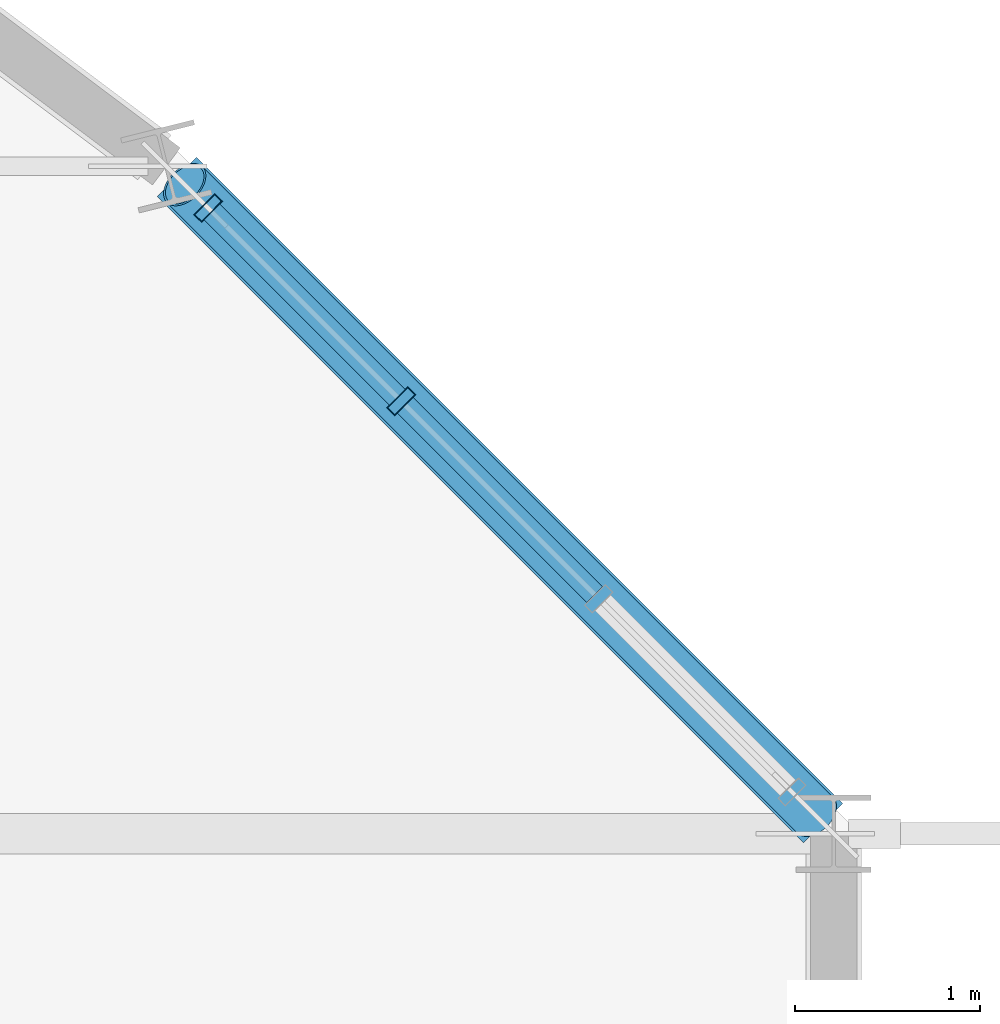
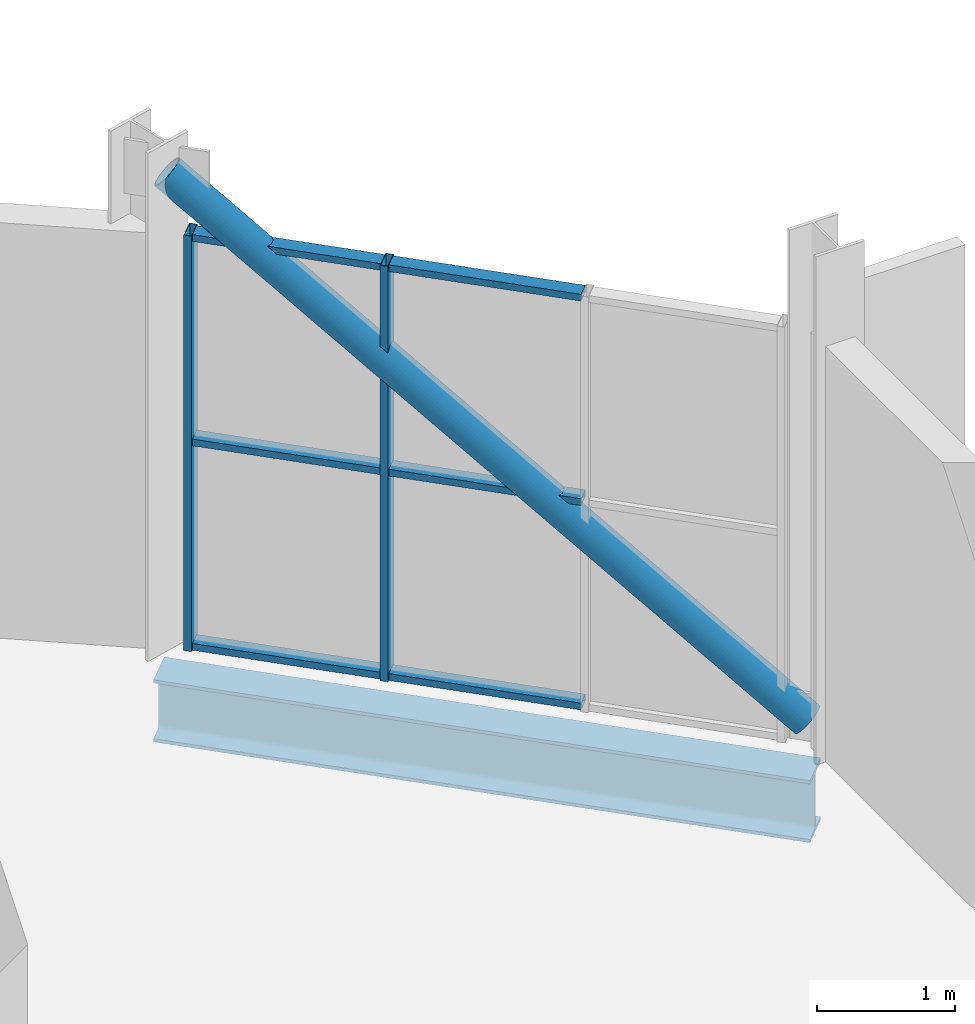
# One storey, part 13 of 22: 9 members, 1 beam, 1 element without a shape of its own.
"""IFC4 building model written with IfcOpenShell, lengths in metres."""

from ifc_helpers import new_model, si_unit, direction, frame, origin, origin_2d, place, context, subcontext, project, spatial, hollow_rectangle, hollow_circle, i_section, extrude, material, layer, layer_set, material_profile, profile_set, type_object, element, aggregate, save


model = new_model("IFC4")

# Units and contexts
model_context = context("Model", 3, precision=1e-05, world=origin(), true_north=direction((0.0, 1.0)))
body_context = subcontext(model_context, "Body", "Model", "MODEL_VIEW")
ifc_project = project(units=[si_unit("LENGTHUNIT", "METRE"), si_unit("AREAUNIT", "SQUARE_METRE"), si_unit("VOLUMEUNIT", "CUBIC_METRE"), si_unit("PLANEANGLEUNIT", "RADIAN"), si_unit("MASSUNIT", "GRAM", prefix="KILO")], contexts=[model_context])

# Site, building, storey
site_placement = place(None, origin())
site = spatial("IfcSite", under=ifc_project, at=site_placement, CompositionType="ELEMENT")
building_placement = place(site_placement, origin())
building = spatial("IfcBuilding", under=site, at=building_placement, Name="Solnavia Interchange Tower", CompositionType="ELEMENT")
storey_placement = place(building_placement, frame((0.0, 0.0, 317.699951171875)))
storey = spatial("IfcBuildingStorey", under=building, at=storey_placement, Name="C04", CompositionType="ELEMENT", Elevation=317.699951171875)

# Curtain wall, members
ifc_material_1 = material(Name="Aluminium Alloy 6063-T6", Category="aluminium")
ifc_layer = layer(ifc_material_1, 0.179931640625)
ifc_layer_set = layer_set([ifc_layer], Name="Aluminium Alloy 6063-T6")
curtain_wall_type = type_object("IfcCurtainWallType", Name="CurtainWall-Crown-CTW6", PredefinedType="NOTDEFINED", material=ifc_layer_set)
curtain_wall_placement = place(storey_placement, origin())
curtain_wall = element("IfcCurtainWall", 1, at=curtain_wall_placement, inside=storey, type_object=curtain_wall_type, Name="CTW-C04-R01 CTW-6 curtain wall", PredefinedType="NOTDEFINED")
ifc_material_profile_1 = material_profile(ifc_material_1, hollow_rectangle(XDim=0.06005859375, YDim=0.159912109375, WallThickness=0.00390625, at=origin_2d()), Name="ALU 160x60x4")
ifc_profile_set_1 = profile_set([ifc_material_profile_1], Name="Aluminium Alloy 6063-T6")
member_type_1 = type_object("IfcMemberType", Name="CW-Mullion-CWM-6", PredefinedType="MULLION", material=ifc_profile_set_1)
member_1_placement = place(storey_placement, frame((40.867919921875, 23.931884765625, 0.0), z_axis=(0.0, 0.0, 1.0), x_axis=(-0.707106781187, 0.707106781187, 0.0)))
member_1 = element("IfcMember", 2, at=member_1_placement, type_object=member_type_1, Name="CTW-6 mullion 3", PredefinedType="MULLION", context=body_context, shape_type="SweptSolid", body=[
    extrude(hollow_rectangle(XDim=0.06005859375, YDim=0.159912109375, WallThickness=0.00390625, at=origin_2d()), origin(), (0.0, 0.0, 1.0), 3.679931640625),
])
member_2_placement = place(storey_placement, frame((39.8251953125, 24.974853515625, 0.0), z_axis=(0.0, 0.0, 1.0), x_axis=(-0.707106781187, 0.707106781187, 0.0)))
member_2 = element("IfcMember", 3, at=member_2_placement, type_object=member_type_1, Name="CTW-6 mullion 4", PredefinedType="MULLION", context=body_context, shape_type="SweptSolid", body=[
    extrude(hollow_rectangle(XDim=0.06005859375, YDim=0.159912109375, WallThickness=0.00390625, at=origin_2d()), origin(), (0.0, 0.0, 1.0), 3.679931640625),
])
ifc_material_profile_2 = material_profile(ifc_material_1, hollow_rectangle(XDim=0.06005859375, YDim=0.1201171875, WallThickness=0.00390625, at=origin_2d()), Name="ALU 120x60x4")
ifc_profile_set_2 = profile_set([ifc_material_profile_2], Name="Aluminium Alloy 6063-T6")
member_type_2 = type_object("IfcMemberType", Name="CW-Transom-CWT-6", PredefinedType="USERDEFINED", material=ifc_profile_set_2)
member_3_placement = place(storey_placement, frame((41.910888671875, 22.88916015625, 0.030029296875), z_axis=(-0.707106781187, 0.707106781187, 0.0), x_axis=(0.0, 0.0, 1.0)))
member_3 = element("IfcMember", 4, at=member_3_placement, type_object=member_type_2, Name="CTW-6 transom 2.1", ObjectType="TRANSOM", PredefinedType="USERDEFINED", context=body_context, shape_type="SweptSolid", body=[
    extrude(hollow_rectangle(XDim=0.06005859375, YDim=0.1201171875, WallThickness=0.00390625, at=origin_2d()), origin(), (0.0, 0.0, 1.0), 1.44482421875),
])
member_4_placement = place(storey_placement, frame((41.910888671875, 22.88916015625, 1.840087890625), z_axis=(-0.707106781187, 0.707106781187, 0.0), x_axis=(0.0, 0.0, 1.0)))
member_4 = element("IfcMember", 5, at=member_4_placement, type_object=member_type_2, Name="CTW-6 transom 2.2", ObjectType="TRANSOM", PredefinedType="USERDEFINED", context=body_context, shape_type="SweptSolid", body=[
    extrude(hollow_rectangle(XDim=0.06005859375, YDim=0.1201171875, WallThickness=0.00390625, at=origin_2d()), origin(), (0.0, 0.0, 1.0), 1.44482421875),
])
member_5_placement = place(storey_placement, frame((41.910888671875, 22.88916015625, 3.650146484375), z_axis=(-0.707106781187, 0.707106781187, 0.0), x_axis=(0.0, 0.0, 1.0)))
member_5 = element("IfcMember", 6, at=member_5_placement, type_object=member_type_2, Name="CTW-6 transom 2.3", ObjectType="TRANSOM", PredefinedType="USERDEFINED", context=body_context, shape_type="SweptSolid", body=[
    extrude(hollow_rectangle(XDim=0.06005859375, YDim=0.1201171875, WallThickness=0.00390625, at=origin_2d()), origin(), (0.0, 0.0, 1.0), 1.44482421875),
])
member_6_placement = place(storey_placement, frame((40.8466796875, 23.953125, 0.030029296875), z_axis=(-0.707020490776, 0.707193061069, 0.0), x_axis=(0.0, 0.0, 1.0)))
member_6 = element("IfcMember", 7, at=member_6_placement, type_object=member_type_2, Name="CTW-6 transom 3.1", ObjectType="TRANSOM", PredefinedType="USERDEFINED", context=body_context, shape_type="SweptSolid", body=[
    extrude(hollow_rectangle(XDim=0.06005859375, YDim=0.1201171875, WallThickness=0.00390625, at=origin_2d()), origin(), (0.0, 0.0, 1.0), 1.414794921875),
])
member_7_placement = place(storey_placement, frame((40.8466796875, 23.953125, 1.840087890625), z_axis=(-0.707020490776, 0.707193061069, 0.0), x_axis=(0.0, 0.0, 1.0)))
member_7 = element("IfcMember", 8, at=member_7_placement, type_object=member_type_2, Name="CTW-6 transom 3.2", ObjectType="TRANSOM", PredefinedType="USERDEFINED", context=body_context, shape_type="SweptSolid", body=[
    extrude(hollow_rectangle(XDim=0.06005859375, YDim=0.1201171875, WallThickness=0.00390625, at=origin_2d()), origin(), (0.0, 0.0, 1.0), 1.414794921875),
])
member_8_placement = place(storey_placement, frame((40.8466796875, 23.953125, 3.650146484375), z_axis=(-0.707020490776, 0.707193061069, 0.0), x_axis=(0.0, 0.0, 1.0)))
member_8 = element("IfcMember", 9, at=member_8_placement, type_object=member_type_2, Name="CTW-6 transom 3.3", ObjectType="TRANSOM", PredefinedType="USERDEFINED", context=body_context, shape_type="SweptSolid", body=[
    extrude(hollow_rectangle(XDim=0.06005859375, YDim=0.1201171875, WallThickness=0.00390625, at=origin_2d()), origin(), (0.0, 0.0, 1.0), 1.414794921875),
])
aggregate(curtain_wall, [member_1, member_2, member_3, member_4, member_5, member_6, member_7, member_8])

# Member
ifc_material_2 = material(Name="Steel S355", Category="steel")
ifc_material_profile_3 = material_profile(ifc_material_2, hollow_circle(Radius=0.136474609375, WallThickness=0.012451171875, at=origin_2d()), Name="CHS 273x12.5")
ifc_profile_set_3 = profile_set([ifc_material_profile_3], Name="Steel S355")
member_type_3 = type_object("IfcMemberType", Name="CrownFrame-Brace-CHS273", PredefinedType="BRACE", material=ifc_profile_set_3)
member_9_placement = place(storey_placement, frame((43.10107421875, 21.698974609375, 0.179931640625), z_axis=(-0.54483653527, 0.54483653527, 0.637421602764), x_axis=(-0.707106781187, -0.707106781187, 0.0)))
element("IfcMember", 10, at=member_9_placement, inside=storey, type_object=member_type_3, Name="BRC-C04-CF01 CROWN FRAME ring brace", PredefinedType="BRACE", context=body_context, shape_type="SweptSolid", body=[
    extrude(hollow_circle(Radius=0.136474609375, WallThickness=0.012451171875, at=origin_2d()), origin(), (0.0, 0.0, 1.0), 6.244140625),
])

# Beam
ifc_material_3 = material(Name="Steel S460", Category="steel")
ifc_material_profile_4 = material_profile(ifc_material_3, i_section(OverallWidth=0.300048828125, OverallDepth=0.550048828125, WebThickness=0.014892578125, FlangeThickness=0.029052734375, FilletRadius=0.027099609375, at=origin_2d()), Name="HEB 550")
ifc_profile_set_4 = profile_set([ifc_material_profile_4], Name="Steel S460")
beam_type = type_object("IfcBeamType", Name="CrownFrame-Ring-HEB550", PredefinedType="BEAM", material=ifc_profile_set_4)
beam_placement = place(storey_placement, frame((43.143310546875, 21.656494140625, -0.52490234375), z_axis=(-0.707106781187, 0.707106781187, 0.0), x_axis=(-0.707106781187, -0.707106781187, 0.0)))
element("IfcBeam", 11, at=beam_placement, inside=storey, type_object=beam_type, Name="GRD-C04-CR01 CROWN FRAME outer collar ring beam", PredefinedType="BEAM", context=body_context, shape_type="SweptSolid", body=[
    extrude(i_section(OverallWidth=0.300048828125, OverallDepth=0.550048828125, WebThickness=0.014892578125, FlangeThickness=0.029052734375, FilletRadius=0.027099609375, at=origin_2d()), origin(), (0.0, 0.0, 1.0), 4.93115234375),
])

save(model, "model.ifc")
